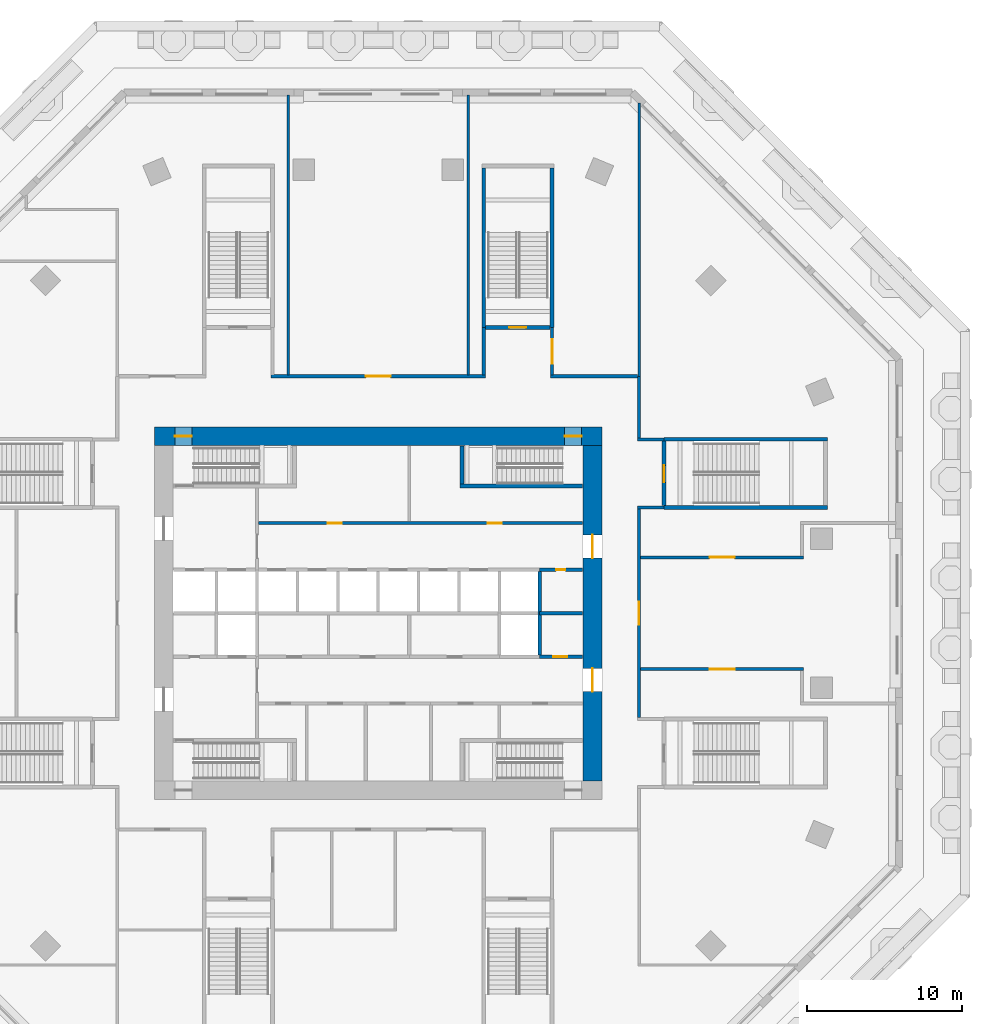
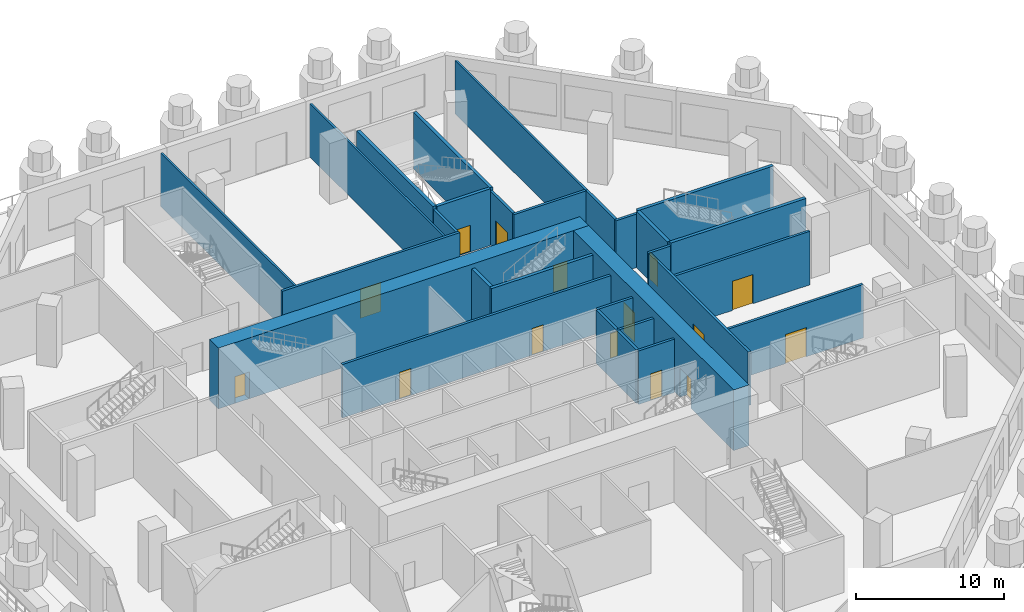
# One storey, part 7 of 13: 28 walls, 15 doors, 15 openings.
"""IFC4 building model written with IfcOpenShell, lengths in metres."""

import ifcopenshell
import ifcopenshell.guid

model = None  # the IFC model being written
_history = None  # IfcOwnerHistory: only IFC2X3 demands one
_inside = {}  # id of a spatial element -> (the spatial element, [elements in it])
_under = {}  # id of a project, library or spatial element -> (it, [spatial elements below it])
_declared = {}  # id of a project -> (the project, [libraries it declares])
_typed = {}  # id of a type object -> (the type object, [elements of that type])
_made_of = {}  # id of a material, layer set ... -> (it, [elements and type objects made of it])


def new_model(schema):
    """Start an empty IFC model of exactly this schema.

    Asked for "IFC4X3", IfcOpenShell would pick the latest addendum, in which some entities
    have other attributes; the version numbers below select the first issue.
    IFC2X3 requires an IfcOwnerHistory on every rooted entity: one is made here for all.
    """
    global model, _history
    if schema == "IFC4X3":
        model = ifcopenshell.file(schema_version=(4, 3, 0, 0))
    else:
        model = ifcopenshell.file(schema=schema)
    _inside.clear()
    _under.clear()
    _declared.clear()
    _typed.clear()
    _made_of.clear()
    _history = None
    if model.schema == "IFC2X3":
        org = make("IfcOrganization", Name="unknown")
        user = make(
            "IfcPersonAndOrganization",
            ThePerson=make("IfcPerson", FamilyName="unknown"),
            TheOrganization=org,
        )
        app = make(
            "IfcApplication",
            ApplicationDeveloper=org,
            Version="unknown",
            ApplicationFullName="unknown",
            ApplicationIdentifier="unknown",
        )
        _history = make(
            "IfcOwnerHistory",
            OwningUser=user,
            OwningApplication=app,
            ChangeAction="ADDED",
            CreationDate=0,
        )
    return model


def make(cls, **values):
    """One entity of the class cls with the attributes given. An attribute that is None is left unset."""
    return model.create_entity(
        cls, **{name: value for name, value in values.items() if value is not None}
    )


def rooted(cls, **values):
    """An entity with a GlobalId (a new one), such as an element, a storey or a relation."""
    return make(cls, GlobalId=ifcopenshell.guid.new(), OwnerHistory=_history, **values)


def si_unit(unit_type, name, prefix=None):
    """IfcSIUnit, for example si_unit("LENGTHUNIT", "METRE", prefix="MILLI")."""
    return make("IfcSIUnit", UnitType=unit_type, Prefix=prefix, Name=name)


def assignment(units):
    """IfcUnitAssignment: the units of a project."""
    return None if units is None else make("IfcUnitAssignment", Units=units)


def point(xyz):
    """IfcCartesianPoint."""
    return None if xyz is None else make("IfcCartesianPoint", Coordinates=xyz)


def direction(xyz):
    """IfcDirection."""
    return None if xyz is None else make("IfcDirection", DirectionRatios=xyz)


def frame(location, z_axis=None, x_axis=None):
    """IfcAxis2Placement3D, a coordinate frame: its origin and axes. An axis left out is left unset."""
    return make(
        "IfcAxis2Placement3D",
        Location=point(location),
        Axis=direction(z_axis),
        RefDirection=direction(x_axis),
    )


def frame_2d(location, x_axis=None):
    """IfcAxis2Placement2D, a coordinate frame in the plane: its origin and x axis."""
    return make(
        "IfcAxis2Placement2D", Location=point(location), RefDirection=direction(x_axis)
    )


def origin():
    """The frame at (0, 0, 0) with its axes left unset."""
    return frame((0.0, 0.0, 0.0))


def place(relative_to, where):
    """IfcLocalPlacement: puts the frame where relative to a parent placement (None: the world)."""
    return make(
        "IfcLocalPlacement", PlacementRelTo=relative_to, RelativePlacement=where
    )


def context(
    kind, dimensions, precision=None, world=None, true_north=None, identifier=None
):
    """IfcGeometricRepresentationContext, for example the 3D "Model" context."""
    return make(
        "IfcGeometricRepresentationContext",
        ContextIdentifier=identifier,
        ContextType=kind,
        CoordinateSpaceDimension=dimensions,
        Precision=precision,
        WorldCoordinateSystem=world,
        TrueNorth=true_north,
    )


def subcontext(parent, identifier, kind, view, scale=None):
    """IfcGeometricRepresentationSubContext, for example "Body" below "Model"."""
    return make(
        "IfcGeometricRepresentationSubContext",
        ContextIdentifier=identifier,
        ContextType=kind,
        ParentContext=parent,
        TargetScale=scale,
        TargetView=view,
    )


def project(units=None, contexts=None):
    """IfcProject with its units and contexts."""
    return rooted(
        "IfcProject",
        Name="project",
        RepresentationContexts=contexts,
        UnitsInContext=assignment(units),
    )


def spatial(cls, under=None, at=None, **own):
    """A site, building, storey or space (cls), placed at a placement, below another one or the project."""
    s = rooted(cls, ObjectPlacement=at, **own)
    if under is not None:
        _under.setdefault(under.id(), (under, []))[1].append(s)
    return s


def profile(cls, at=None, kind="AREA", **sizes):
    """A parametric profile (cls). Its sizes go by their IFC names, for example OverallWidth=200.0."""
    return make(cls, ProfileType=kind, Position=at, **sizes)


def rectangle(**sizes):
    """IfcRectangleProfileDef."""
    return profile("IfcRectangleProfileDef", **sizes)


def extrude(swept, where, along, depth):
    """IfcExtrudedAreaSolid: the profile swept, set in the frame where, extruded along a direction by depth."""
    return make(
        "IfcExtrudedAreaSolid",
        SweptArea=swept,
        Position=where,
        ExtrudedDirection=direction(along),
        Depth=depth,
    )


def shape(context_of_items, identifier, shape_type, items):
    """IfcShapeRepresentation: the items that make up one representation, for example the "Body"."""
    return make(
        "IfcShapeRepresentation",
        ContextOfItems=context_of_items,
        RepresentationIdentifier=identifier,
        RepresentationType=shape_type,
        Items=items,
    )


def material(Name=None, Category=None):
    """IfcMaterial."""
    return make("IfcMaterial", Name=Name, Category=Category)


def layer(
    of_material, thickness, ventilated=None, Name=None, Category=None, Priority=None
):
    """IfcMaterialLayer: one layer of a wall or slab, of a material (None: an air gap)."""
    return make(
        "IfcMaterialLayer",
        Material=of_material,
        LayerThickness=thickness,
        IsVentilated=ventilated,
        Name=Name,
        Category=Category,
        Priority=Priority,
    )


def layer_set(layers, Name=None):
    """IfcMaterialLayerSet."""
    return make("IfcMaterialLayerSet", MaterialLayers=layers, LayerSetName=Name)


def made_of(thing, what):
    """Note that an element or type object is made of a material, layer set ...; save() writes the relation."""
    if what is not None:
        _made_of.setdefault(what.id(), (what, []))[1].append(thing)
    return thing


def type_object(cls, material=None, **own):
    """A type object (cls), such as IfcWallType, which elements share."""
    return made_of(rooted(cls, **own), material)


def element(
    cls,
    number,
    at=None,
    inside=None,
    cuts=None,
    type_object=None,
    material=None,
    context=None,
    identifier="Body",
    shape_type=None,
    held_by="IfcProductDefinitionShape",
    body=None,
    shapes=None,
    **own,
):
    """One element of the class cls, such as IfcWall. Its Tag is "e" and its number.

    at: its placement. inside: the storey or other place that contains it. cuts: it is an
    opening in that element (IfcRelVoidsElement). A single representation is given by context,
    identifier, shape_type and body (its items); several are given by shapes. held_by: the class
    of the entity that holds the representations. save() writes the other relations.
    """
    e = rooted(cls, Tag="e%d" % number, ObjectPlacement=at, **own)
    if body is not None:
        shapes = [shape(context, identifier, shape_type, body)]
    if shapes is not None:
        e.Representation = make(held_by, Representations=shapes)
    if inside is not None:
        _inside.setdefault(inside.id(), (inside, []))[1].append(e)
    if cuts is not None:
        rooted(
            "IfcRelVoidsElement", RelatingBuildingElement=cuts, RelatedOpeningElement=e
        )
    if type_object is not None:
        _typed.setdefault(type_object.id(), (type_object, []))[1].append(e)
    return made_of(e, material)


def fill(opening, filler):
    """IfcRelFillsElement: the door or window that sits in an opening."""
    return rooted(
        "IfcRelFillsElement",
        RelatingOpeningElement=opening,
        RelatedBuildingElement=filler,
    )


def aggregate(whole, parts):
    """IfcRelAggregates: a whole, such as a stair, and the parts it consists of."""
    return rooted("IfcRelAggregates", RelatingObject=whole, RelatedObjects=parts)


def save(model, path):
    """Write the relations noted so far, then the file.

    IfcRelAggregates (storeys below a building ...), IfcRelContainedInSpatialStructure (elements
    in a storey), IfcRelDefinesByType, IfcRelAssociatesMaterial and IfcRelDeclares: one each for
    every whole, place, type object, material and project.
    """
    for whole, parts in _under.values():
        aggregate(whole, parts)
    for where, things in _inside.values():
        rooted(
            "IfcRelContainedInSpatialStructure",
            RelatedElements=things,
            RelatingStructure=where,
        )
    for kind, things in _typed.values():
        rooted("IfcRelDefinesByType", RelatedObjects=things, RelatingType=kind)
    for what, things in _made_of.values():
        rooted("IfcRelAssociatesMaterial", RelatedObjects=things, RelatingMaterial=what)
    for by, libraries in _declared.values():
        rooted("IfcRelDeclares", RelatingContext=by, RelatedDefinitions=libraries)
    model.write(path)


model = new_model("IFC4")

# Units and contexts
model_context = context("Model", 3, precision=1e-05, world=origin(), true_north=direction((0.0, 1.0)))
body_context = subcontext(model_context, "Body", "Model", "MODEL_VIEW")
ifc_project = project(units=[si_unit("LENGTHUNIT", "METRE"), si_unit("AREAUNIT", "SQUARE_METRE"), si_unit("VOLUMEUNIT", "CUBIC_METRE"), si_unit("PLANEANGLEUNIT", "RADIAN"), si_unit("MASSUNIT", "GRAM", prefix="KILO")], contexts=[model_context])

# Site, building, storey
site_placement = place(None, origin())
site = spatial("IfcSite", under=ifc_project, at=site_placement, CompositionType="ELEMENT")
building_placement = place(site_placement, origin())
building = spatial("IfcBuilding", under=site, at=building_placement, Name="Msitu Wima Residences", CompositionType="ELEMENT")
storey_placement = place(building_placement, frame((0.0, 0.0, 16.0)))
storey = spatial("IfcBuildingStorey", under=building, at=storey_placement, Name="L03", CompositionType="ELEMENT", Elevation=16.0)

# Wall, openings, doors
ifc_material_1 = material(Name="Concrete C80/95", Category="concrete")
ifc_layer_1 = layer(ifc_material_1, 1.199951171875)
ifc_layer_set_1 = layer_set([ifc_layer_1], Name="Concrete C80/95")
wall_type_1 = type_object("IfcWallType", Name="Core wall CW1200 C80/95", PredefinedType="SHEAR", material=ifc_layer_set_1)
wall_1_placement = place(storey_placement, frame((-14.39990234375, 11.39990234375, 0.0), z_axis=(0.0, 0.0, 1.0), x_axis=(1.0, 0.0, 0.0)))
wall_1 = element("IfcWall", 1, at=wall_1_placement, inside=storey, type_object=wall_type_1, Name="Core wall", PredefinedType="SHEAR", context=body_context, shape_type="SweptSolid", body=[
    extrude(rectangle(XDim=28.7998046875, YDim=1.199951171875, at=frame_2d((14.39990234375, 0.0))), origin(), (0.0, 0.0, 1.0), 5.0),
])
opening_1_placement = place(wall_1_placement, frame((1.300048828125, 0.0, 0.0)))
opening_1 = element("IfcOpeningElement", 2, at=opening_1_placement, cuts=wall_1, Name="Opening D03.052", PredefinedType="OPENING", context=body_context, shape_type="SweptSolid", body=[
    extrude(rectangle(XDim=1.10009765625, YDim=2.199951171875, at=frame_2d((0.550048828125, 1.10009765625))), frame((0.0, 0.60986328125, 0.0), z_axis=(0.0, -1.0, 0.0), x_axis=(1.0, 0.0, 0.0)), (0.0, 0.0, 1.0), 1.219970703125),
])
opening_2_placement = place(wall_1_placement, frame((26.39990234375, 0.0, 0.0)))
opening_2 = element("IfcOpeningElement", 3, at=opening_2_placement, cuts=wall_1, Name="Opening D03.054", PredefinedType="OPENING", context=body_context, shape_type="SweptSolid", body=[
    extrude(rectangle(XDim=1.10009765625, YDim=2.199951171875, at=frame_2d((0.550048828125, 1.10009765625))), frame((0.0, 0.60986328125, 0.0), z_axis=(0.0, -1.0, 0.0), x_axis=(1.0, 0.0, 0.0)), (0.0, 0.0, 1.0), 1.219970703125),
])
ifc_material_2 = material(Name="Steel door, fire resisting, panic bar", Category="steel")
door_type_1 = type_object("IfcDoorType", Name="Stair door D06 1100x2200", OperationType="SINGLE_SWING_LEFT", PredefinedType="DOOR", material=ifc_material_2)
door_1_placement = place(opening_1_placement, origin())
door_1 = element("IfcDoor", 4, at=door_1_placement, inside=storey, type_object=door_type_1, Name="Stair door", OperationType="SINGLE_SWING_RIGHT", OverallHeight=2.199951171875, OverallWidth=1.10009765625, PredefinedType="DOOR", context=body_context, shape_type="SweptSolid", body=[
    extrude(rectangle(XDim=1.10009765625, YDim=2.199951171875, at=frame_2d((0.550048828125, 1.10009765625))), frame((0.0, 0.02490234375, 0.0), z_axis=(0.0, -1.0, 0.0), x_axis=(1.0, 0.0, 0.0)), (0.0, 0.0, 1.0), 0.050048828125),
])
fill(opening_1, door_1)
door_2_placement = place(opening_2_placement, origin())
door_2 = element("IfcDoor", 5, at=door_2_placement, inside=storey, type_object=door_type_1, Name="Stair door", OperationType="SINGLE_SWING_LEFT", OverallHeight=2.199951171875, OverallWidth=1.10009765625, PredefinedType="DOOR", context=body_context, shape_type="SweptSolid", body=[
    extrude(rectangle(XDim=1.10009765625, YDim=2.199951171875, at=frame_2d((0.550048828125, 1.10009765625))), frame((0.0, 0.02490234375, 0.0), z_axis=(0.0, -1.0, 0.0), x_axis=(1.0, 0.0, 0.0)), (0.0, 0.0, 1.0), 0.050048828125),
])
fill(opening_2, door_2)

wall_2_placement = place(storey_placement, frame((13.800048828125, -10.800048828125, 0.0), z_axis=(0.0, 0.0, 1.0), x_axis=(0.0, 1.0, 0.0)))
wall_2 = element("IfcWall", 6, at=wall_2_placement, inside=storey, type_object=wall_type_1, Name="Core wall", PredefinedType="SHEAR", context=body_context, shape_type="SweptSolid", body=[
    extrude(rectangle(XDim=21.60009765625, YDim=1.199951171875, at=frame_2d((10.800048828125, 0.0))), origin(), (0.0, 0.0, 1.0), 5.0),
])
opening_3_placement = place(wall_2_placement, frame((14.35009765625, 0.0, 0.0)))
opening_3 = element("IfcOpeningElement", 7, at=opening_3_placement, cuts=wall_2, Name="Opening D03.048", PredefinedType="OPENING", context=body_context, shape_type="SweptSolid", body=[
    extrude(rectangle(XDim=1.5, YDim=2.39990234375, at=frame_2d((0.75, 1.199951171875))), frame((0.0, 0.60986328125, 0.0), z_axis=(0.0, -1.0, 0.0), x_axis=(1.0, 0.0, 0.0)), (0.0, 0.0, 1.0), 1.219970703125),
])
opening_4_placement = place(wall_2_placement, frame((5.75, 0.0, 0.0)))
opening_4 = element("IfcOpeningElement", 8, at=opening_4_placement, cuts=wall_2, Name="Opening D03.049", PredefinedType="OPENING", context=body_context, shape_type="SweptSolid", body=[
    extrude(rectangle(XDim=1.5, YDim=2.39990234375, at=frame_2d((0.75, 1.199951171875))), frame((0.0, 0.60986328125, 0.0), z_axis=(0.0, -1.0, 0.0), x_axis=(1.0, 0.0, 0.0)), (0.0, 0.0, 1.0), 1.219970703125),
])
ifc_material_3 = material(Name="Steel framed glazed door, fire resisting", Category="steel")
door_type_2 = type_object("IfcDoorType", Name="Lobby door D07 1500x2400", OperationType="DOUBLE_DOOR_SINGLE_SWING", PredefinedType="DOOR", material=ifc_material_3)
door_3_placement = place(opening_3_placement, origin())
door_3 = element("IfcDoor", 9, at=door_3_placement, inside=storey, type_object=door_type_2, Name="Lobby door", OperationType="DOUBLE_DOOR_SINGLE_SWING", OverallHeight=2.39990234375, OverallWidth=1.5, PredefinedType="DOOR", context=body_context, shape_type="SweptSolid", body=[
    extrude(rectangle(XDim=1.5, YDim=2.39990234375, at=frame_2d((0.75, 1.199951171875))), frame((0.0, 0.02490234375, 0.0), z_axis=(0.0, -1.0, 0.0), x_axis=(1.0, 0.0, 0.0)), (0.0, 0.0, 1.0), 0.050048828125),
])
fill(opening_3, door_3)
door_4_placement = place(opening_4_placement, origin())
door_4 = element("IfcDoor", 10, at=door_4_placement, inside=storey, type_object=door_type_2, Name="Lobby door", OperationType="DOUBLE_DOOR_SINGLE_SWING", OverallHeight=2.39990234375, OverallWidth=1.5, PredefinedType="DOOR", context=body_context, shape_type="SweptSolid", body=[
    extrude(rectangle(XDim=1.5, YDim=2.39990234375, at=frame_2d((0.75, 1.199951171875))), frame((0.0, 0.02490234375, 0.0), z_axis=(0.0, -1.0, 0.0), x_axis=(1.0, 0.0, 0.0)), (0.0, 0.0, 1.0), 0.050048828125),
])
fill(opening_4, door_4)

ifc_material_4 = material(Name="Plaster")
ifc_layer_2 = layer(ifc_material_4, 0.011962890625, Name="Plaster")
ifc_material_5 = material(Name="Concrete blockwork", Category="masonry")
ifc_layer_3 = layer(ifc_material_5, 0.176025390625, Name="Concrete blockwork")
ifc_layer_4 = layer(ifc_material_4, 0.011962890625, Name="Plaster")
ifc_layer_set_2 = layer_set([ifc_layer_2, ifc_layer_3, ifc_layer_4], Name="Concrete blockwork")
wall_type_2 = type_object("IfcWallType", Name="Corridor wall FW200", PredefinedType="PARTITIONING", material=ifc_layer_set_2)
wall_3_placement = place(storey_placement, frame((-7.699951171875, 5.800048828125, 0.0), z_axis=(0.0, 0.0, 1.0), x_axis=(1.0, 0.0, 0.0)))
wall_3 = element("IfcWall", 11, at=wall_3_placement, inside=storey, type_object=wall_type_2, Name="Corridor wall", PredefinedType="PARTITIONING", context=body_context, shape_type="SweptSolid", body=[
    extrude(rectangle(XDim=20.869873046875, YDim=0.199951171875, at=frame_2d((10.43505859375, 0.0))), origin(), (0.0, 0.0, 1.0), 4.39990234375),
])
opening_5_placement = place(wall_3_placement, frame((4.449951171875, 0.0, 0.0)))
opening_5 = element("IfcOpeningElement", 12, at=opening_5_placement, cuts=wall_3, Name="Opening D03.012", PredefinedType="OPENING", context=body_context, shape_type="SweptSolid", body=[
    extrude(rectangle(XDim=0.89990234375, YDim=2.199951171875, at=frame_2d((0.449951171875, 1.10009765625))), frame((0.0, 0.10986328125, 0.0), z_axis=(0.0, -1.0, 0.0), x_axis=(1.0, 0.0, 0.0)), (0.0, 0.0, 1.0), 0.219970703125),
])
opening_6_placement = place(wall_3_placement, frame((14.75, 0.0, 0.0)))
opening_6 = element("IfcOpeningElement", 13, at=opening_6_placement, cuts=wall_3, Name="Opening D03.013", PredefinedType="OPENING", context=body_context, shape_type="SweptSolid", body=[
    extrude(rectangle(XDim=0.89990234375, YDim=2.199951171875, at=frame_2d((0.449951171875, 1.10009765625))), frame((0.0, 0.10986328125, 0.0), z_axis=(0.0, -1.0, 0.0), x_axis=(1.0, 0.0, 0.0)), (0.0, 0.0, 1.0), 0.219970703125),
])
ifc_material_6 = material(Name="Timber flush door", Category="wood")
door_type_3 = type_object("IfcDoorType", Name="Service door D05 900x2200", OperationType="SINGLE_SWING_LEFT", PredefinedType="DOOR", material=ifc_material_6)
door_5_placement = place(opening_5_placement, origin())
door_5 = element("IfcDoor", 14, at=door_5_placement, inside=storey, type_object=door_type_3, Name="Service door", OperationType="SINGLE_SWING_LEFT", OverallHeight=2.199951171875, OverallWidth=0.89990234375, PredefinedType="DOOR", context=body_context, shape_type="SweptSolid", body=[
    extrude(rectangle(XDim=0.89990234375, YDim=2.199951171875, at=frame_2d((0.449951171875, 1.10009765625))), frame((0.0, 0.02490234375, 0.0), z_axis=(0.0, -1.0, 0.0), x_axis=(1.0, 0.0, 0.0)), (0.0, 0.0, 1.0), 0.050048828125),
])
fill(opening_5, door_5)
door_6_placement = place(opening_6_placement, origin())
door_6 = element("IfcDoor", 15, at=door_6_placement, inside=storey, type_object=door_type_3, Name="Service door", OperationType="SINGLE_SWING_RIGHT", OverallHeight=2.199951171875, OverallWidth=0.89990234375, PredefinedType="DOOR", context=body_context, shape_type="SweptSolid", body=[
    extrude(rectangle(XDim=0.89990234375, YDim=2.199951171875, at=frame_2d((0.449951171875, 1.10009765625))), frame((0.0, 0.02490234375, 0.0), z_axis=(0.0, -1.0, 0.0), x_axis=(1.0, 0.0, 0.0)), (0.0, 0.0, 1.0), 0.050048828125),
])
fill(opening_6, door_6)

# Wall, opening, door
wall_4_placement = place(storey_placement, frame((-6.89990234375, 15.2568359375, 0.0), z_axis=(0.0, 0.0, 1.0), x_axis=(1.0, 0.0, 0.0)))
wall_4 = element("IfcWall", 16, at=wall_4_placement, inside=storey, type_object=wall_type_2, Name="Corridor wall", PredefinedType="PARTITIONING", context=body_context, shape_type="SweptSolid", body=[
    extrude(rectangle(XDim=13.7998046875, YDim=0.199951171875, at=frame_2d((6.89990234375, 0.0))), origin(), (0.0, 0.0, 1.0), 4.39990234375),
])
opening_7_placement = place(wall_4_placement, frame((6.10009765625, 0.0, 0.0)))
opening_7 = element("IfcOpeningElement", 17, at=opening_7_placement, cuts=wall_4, Name="Opening D03.034", PredefinedType="OPENING", context=body_context, shape_type="SweptSolid", body=[
    extrude(rectangle(XDim=1.60009765625, YDim=2.39990234375, at=frame_2d((0.800048828125, 1.199951171875))), frame((0.0, 0.10986328125, 0.0), z_axis=(0.0, -1.0, 0.0), x_axis=(1.0, 0.0, 0.0)), (0.0, 0.0, 1.0), 0.219970703125),
])
ifc_material_7 = material(Name="Black aluminium glazed door", Category="aluminium")
door_type_4 = type_object("IfcDoorType", Name="Amenity door D10 1600x2400", OperationType="DOUBLE_DOOR_SINGLE_SWING", PredefinedType="DOOR", material=ifc_material_7)
door_7_placement = place(opening_7_placement, origin())
door_7 = element("IfcDoor", 18, at=door_7_placement, inside=storey, type_object=door_type_4, Name="Amenity door", OperationType="DOUBLE_DOOR_SINGLE_SWING", OverallHeight=2.39990234375, OverallWidth=1.60009765625, PredefinedType="DOOR", context=body_context, shape_type="SweptSolid", body=[
    extrude(rectangle(XDim=1.60009765625, YDim=2.39990234375, at=frame_2d((0.800048828125, 1.199951171875))), frame((0.0, 0.02490234375, 0.0), z_axis=(0.0, -1.0, 0.0), x_axis=(1.0, 0.0, 0.0)), (0.0, 0.0, 1.0), 0.050048828125),
])
fill(opening_7, door_7)

# Wall
wall_5_placement = place(storey_placement, frame((6.800048828125, 15.356689453125, 0.0), z_axis=(0.0, 0.0, 1.0), x_axis=(0.0, 1.0, 0.0)))
element("IfcWall", 19, at=wall_5_placement, inside=storey, type_object=wall_type_2, Name="Corridor wall", PredefinedType="PARTITIONING", context=body_context, shape_type="SweptSolid", body=[
    extrude(rectangle(XDim=3.043212890625, YDim=0.199951171875, at=frame_2d((1.521484375, 0.0))), origin(), (0.0, 0.0, 1.0), 4.39990234375),
])

# Wall, opening, door
wall_6_placement = place(storey_placement, frame((11.199951171875, 15.356689453125, 0.0), z_axis=(0.0, 0.0, 1.0), x_axis=(0.0, 1.0, 0.0)))
wall_6 = element("IfcWall", 20, at=wall_6_placement, inside=storey, type_object=wall_type_2, Name="Corridor wall", PredefinedType="PARTITIONING", context=body_context, shape_type="SweptSolid", body=[
    extrude(rectangle(XDim=3.043212890625, YDim=0.199951171875, at=frame_2d((1.521484375, 0.0))), origin(), (0.0, 0.0, 1.0), 4.39990234375),
])
opening_8_placement = place(wall_6_placement, frame((0.699951171875, 0.0, 0.0)))
opening_8 = element("IfcOpeningElement", 21, at=opening_8_placement, cuts=wall_6, Name="Opening D03.035", PredefinedType="OPENING", context=body_context, shape_type="SweptSolid", body=[
    extrude(rectangle(XDim=1.60009765625, YDim=2.39990234375, at=frame_2d((0.800048828125, 1.199951171875))), frame((0.0, 0.10986328125, 0.0), z_axis=(0.0, -1.0, 0.0), x_axis=(1.0, 0.0, 0.0)), (0.0, 0.0, 1.0), 0.219970703125),
])
door_8_placement = place(opening_8_placement, origin())
door_8 = element("IfcDoor", 22, at=door_8_placement, inside=storey, type_object=door_type_4, Name="Amenity door", OperationType="DOUBLE_DOOR_SINGLE_SWING", OverallHeight=2.39990234375, OverallWidth=1.60009765625, PredefinedType="DOOR", context=body_context, shape_type="SweptSolid", body=[
    extrude(rectangle(XDim=1.60009765625, YDim=2.39990234375, at=frame_2d((0.800048828125, 1.199951171875))), frame((0.0, 0.02490234375, 0.0), z_axis=(0.0, -1.0, 0.0), x_axis=(1.0, 0.0, 0.0)), (0.0, 0.0, 1.0), 0.050048828125),
])
fill(opening_8, door_8)

# Wall
wall_7_placement = place(storey_placement, frame((11.10009765625, 15.2568359375, 0.0), z_axis=(0.0, 0.0, 1.0), x_axis=(1.0, 0.0, 0.0)))
element("IfcWall", 23, at=wall_7_placement, inside=storey, type_object=wall_type_2, Name="Corridor wall", PredefinedType="PARTITIONING", context=body_context, shape_type="SweptSolid", body=[
    extrude(rectangle(XDim=5.599853515625, YDim=0.199951171875, at=frame_2d((2.7998046875, 0.0))), origin(), (0.0, 0.0, 1.0), 4.39990234375),
])

# Wall, opening, door
wall_8_placement = place(storey_placement, frame((16.800048828125, -6.699951171875, 0.0), z_axis=(0.0, 0.0, 1.0), x_axis=(0.0, 1.0, 0.0)))
wall_8 = element("IfcWall", 24, at=wall_8_placement, inside=storey, type_object=wall_type_2, Name="Corridor wall", PredefinedType="PARTITIONING", context=body_context, shape_type="SweptSolid", body=[
    extrude(rectangle(XDim=13.39990234375, YDim=0.199951171875, at=frame_2d((6.699951171875, 0.0))), origin(), (0.0, 0.0, 1.0), 4.39990234375),
])
opening_9_placement = place(wall_8_placement, frame((5.949951171875, 0.0, 0.0)))
opening_9 = element("IfcOpeningElement", 25, at=opening_9_placement, cuts=wall_8, Name="Opening D03.026", PredefinedType="OPENING", context=body_context, shape_type="SweptSolid", body=[
    extrude(rectangle(XDim=1.5, YDim=2.199951171875, at=frame_2d((0.75, 1.10009765625))), frame((0.0, 0.10986328125, 0.0), z_axis=(0.0, -1.0, 0.0), x_axis=(1.0, 0.0, 0.0)), (0.0, 0.0, 1.0), 0.219970703125),
])
ifc_material_8 = material(Name="Timber double door", Category="wood")
door_type_5 = type_object("IfcDoorType", Name="Double door D04 1500x2200", OperationType="DOUBLE_DOOR_SINGLE_SWING", PredefinedType="DOOR", material=ifc_material_8)
door_9_placement = place(opening_9_placement, origin())
door_9 = element("IfcDoor", 26, at=door_9_placement, inside=storey, type_object=door_type_5, Name="Double door", OperationType="DOUBLE_DOOR_SINGLE_SWING", OverallHeight=2.199951171875, OverallWidth=1.5, PredefinedType="DOOR", context=body_context, shape_type="SweptSolid", body=[
    extrude(rectangle(XDim=1.5, YDim=2.199951171875, at=frame_2d((0.75, 1.10009765625))), frame((0.0, 0.02490234375, 0.0), z_axis=(0.0, -1.0, 0.0), x_axis=(1.0, 0.0, 0.0)), (0.0, 0.0, 1.0), 0.050048828125),
])
fill(opening_9, door_9)

wall_9_placement = place(storey_placement, frame((16.89990234375, -3.60009765625, 0.0), z_axis=(0.0, 0.0, 1.0), x_axis=(1.0, 0.0, 0.0)))
wall_9 = element("IfcWall", 27, at=wall_9_placement, inside=storey, type_object=wall_type_2, Name="Corridor wall", PredefinedType="PARTITIONING", context=body_context, shape_type="SweptSolid", body=[
    extrude(rectangle(XDim=10.491943359375, YDim=0.199951171875, at=frame_2d((5.24609375, 0.0))), origin(), (0.0, 0.0, 1.0), 4.39990234375),
])
opening_10_placement = place(wall_9_placement, frame((4.449951171875, 0.0, 0.0)))
opening_10 = element("IfcOpeningElement", 28, at=opening_10_placement, cuts=wall_9, Name="Opening D03.028", PredefinedType="OPENING", context=body_context, shape_type="SweptSolid", body=[
    extrude(rectangle(XDim=1.60009765625, YDim=2.39990234375, at=frame_2d((0.800048828125, 1.199951171875))), frame((0.0, 0.10986328125, 0.0), z_axis=(0.0, -1.0, 0.0), x_axis=(1.0, 0.0, 0.0)), (0.0, 0.0, 1.0), 0.219970703125),
])
door_10_placement = place(opening_10_placement, origin())
door_10 = element("IfcDoor", 29, at=door_10_placement, inside=storey, type_object=door_type_4, Name="Amenity door", OperationType="DOUBLE_DOOR_SINGLE_SWING", OverallHeight=2.39990234375, OverallWidth=1.60009765625, PredefinedType="DOOR", context=body_context, shape_type="SweptSolid", body=[
    extrude(rectangle(XDim=1.60009765625, YDim=2.39990234375, at=frame_2d((0.800048828125, 1.199951171875))), frame((0.0, 0.02490234375, 0.0), z_axis=(0.0, -1.0, 0.0), x_axis=(1.0, 0.0, 0.0)), (0.0, 0.0, 1.0), 0.050048828125),
])
fill(opening_10, door_10)

wall_10_placement = place(storey_placement, frame((16.89990234375, 3.60009765625, 0.0), z_axis=(0.0, 0.0, 1.0), x_axis=(1.0, 0.0, 0.0)))
wall_10 = element("IfcWall", 30, at=wall_10_placement, inside=storey, type_object=wall_type_2, Name="Corridor wall", PredefinedType="PARTITIONING", context=body_context, shape_type="SweptSolid", body=[
    extrude(rectangle(XDim=10.491943359375, YDim=0.199951171875, at=frame_2d((5.24609375, 0.0))), origin(), (0.0, 0.0, 1.0), 4.39990234375),
])
opening_11_placement = place(wall_10_placement, frame((4.449951171875, 0.0, 0.0)))
opening_11 = element("IfcOpeningElement", 31, at=opening_11_placement, cuts=wall_10, Name="Opening D03.027", PredefinedType="OPENING", context=body_context, shape_type="SweptSolid", body=[
    extrude(rectangle(XDim=1.60009765625, YDim=2.39990234375, at=frame_2d((0.800048828125, 1.199951171875))), frame((0.0, 0.10986328125, 0.0), z_axis=(0.0, -1.0, 0.0), x_axis=(1.0, 0.0, 0.0)), (0.0, 0.0, 1.0), 0.219970703125),
])
door_11_placement = place(opening_11_placement, origin())
door_11 = element("IfcDoor", 32, at=door_11_placement, inside=storey, type_object=door_type_4, Name="Amenity door", OperationType="DOUBLE_DOOR_SINGLE_SWING", OverallHeight=2.39990234375, OverallWidth=1.60009765625, PredefinedType="DOOR", context=body_context, shape_type="SweptSolid", body=[
    extrude(rectangle(XDim=1.60009765625, YDim=2.39990234375, at=frame_2d((0.800048828125, 1.199951171875))), frame((0.0, 0.02490234375, 0.0), z_axis=(0.0, -1.0, 0.0), x_axis=(1.0, 0.0, 0.0)), (0.0, 0.0, 1.0), 0.050048828125),
])
fill(opening_11, door_11)

# Walls
wall_11_placement = place(storey_placement, frame((16.699951171875, 6.800048828125, 0.0), z_axis=(0.0, 0.0, 1.0), x_axis=(1.0, 0.0, 0.0)))
element("IfcWall", 33, at=wall_11_placement, inside=storey, type_object=wall_type_2, Name="Corridor wall", PredefinedType="PARTITIONING", context=body_context, shape_type="SweptSolid", body=[
    extrude(rectangle(XDim=1.699951171875, YDim=0.199951171875, at=frame_2d((0.85009765625, 0.0))), origin(), (0.0, 0.0, 1.0), 4.39990234375),
])
wall_12_placement = place(storey_placement, frame((16.800048828125, 11.300048828125, 0.0), z_axis=(0.0, 0.0, 1.0), x_axis=(0.0, 1.0, 0.0)))
element("IfcWall", 34, at=wall_12_placement, inside=storey, type_object=wall_type_2, Name="Corridor wall", PredefinedType="PARTITIONING", context=body_context, shape_type="SweptSolid", body=[
    extrude(rectangle(XDim=3.936767578125, YDim=0.199951171875, at=frame_2d((1.96826171875, 0.0))), origin(), (0.0, 0.0, 1.0), 4.39990234375),
])
wall_13_placement = place(storey_placement, frame((16.699951171875, 11.199951171875, 0.0), z_axis=(0.0, 0.0, 1.0), x_axis=(1.0, 0.0, 0.0)))
element("IfcWall", 35, at=wall_13_placement, inside=storey, type_object=wall_type_2, Name="Corridor wall", PredefinedType="PARTITIONING", context=body_context, shape_type="SweptSolid", body=[
    extrude(rectangle(XDim=1.699951171875, YDim=0.199951171875, at=frame_2d((0.85009765625, 0.0))), origin(), (0.0, 0.0, 1.0), 4.39990234375),
])
ifc_layer_5 = layer(ifc_material_4, 0.011962890625, Name="Plaster")
ifc_layer_6 = layer(ifc_material_5, 0.1259765625, Name="Concrete blockwork")
ifc_layer_7 = layer(ifc_material_4, 0.011962890625, Name="Plaster")
ifc_layer_set_3 = layer_set([ifc_layer_5, ifc_layer_6, ifc_layer_7], Name="Concrete blockwork")
wall_type_3 = type_object("IfcWallType", Name="Partition PW150", PredefinedType="PARTITIONING", material=ifc_layer_set_3)
for number, where, z_axis, x_axis, name in (
    (36, (-5.800048828125, 15.356689453125, 0.0), (0.0, 0.0, 1.0), (0.0, 1.0, 0.0), "Partition"),
    (37, (5.800048828125, 15.356689453125, 0.0), (0.0, 0.0, 1.0), (0.0, 1.0, 0.0), "Partition"),
):
    element("IfcWall", number, at=place(storey_placement, frame(where, z_axis=z_axis, x_axis=x_axis)), inside=storey, type_object=wall_type_3, Name=name, PredefinedType="PARTITIONING", context=body_context, shape_type="SweptSolid", body=[
        extrude(rectangle(XDim=17.998291015625, YDim=0.14990234375, at=frame_2d((8.9990234375, 0.0))), origin(), (0.0, 0.0, 1.0), 4.39990234375),
    ])
wall_14_placement = place(storey_placement, frame((16.800048828125, 15.23681640625, 0.0), z_axis=(0.0, 0.0, 1.0), x_axis=(0.0, 1.0, 0.0)))
element("IfcWall", 38, at=wall_14_placement, inside=storey, type_object=wall_type_3, Name="Partition", PredefinedType="PARTITIONING", context=body_context, shape_type="SweptSolid", body=[
    extrude(rectangle(XDim=17.60498046875, YDim=0.14990234375, at=frame_2d((8.802490234375, 0.0))), origin(), (0.0, 0.0, 1.0), 4.39990234375),
])

# Wall, opening, door
ifc_layer_8 = layer(ifc_material_4, 0.011962890625, Name="Plaster")
ifc_material_9 = material(Name="Reinforced concrete blockwork", Category="masonry")
ifc_layer_9 = layer(ifc_material_9, 0.176025390625, Name="Reinforced concrete blockwork")
ifc_layer_10 = layer(ifc_material_4, 0.011962890625, Name="Plaster")
ifc_layer_set_4 = layer_set([ifc_layer_8, ifc_layer_9, ifc_layer_10], Name="Reinforced concrete blockwork")
wall_type_4 = type_object("IfcWallType", Name="Plant and riser wall PL200", PredefinedType="PARTITIONING", material=ifc_layer_set_4)
wall_15_placement = place(storey_placement, frame((10.3798828125, -2.800048828125, 0.0), z_axis=(0.0, 0.0, 1.0), x_axis=(1.0, 0.0, 0.0)))
wall_15 = element("IfcWall", 39, at=wall_15_placement, inside=storey, type_object=wall_type_4, Name="Plant and riser wall", PredefinedType="PARTITIONING", context=body_context, shape_type="SweptSolid", body=[
    extrude(rectangle(XDim=2.7900390625, YDim=0.199951171875, at=frame_2d((1.39501953125, 0.0))), origin(), (0.0, 0.0, 1.0), 4.39990234375),
])
opening_12_placement = place(wall_15_placement, frame((0.89990234375, 0.0, 0.0)))
opening_12 = element("IfcOpeningElement", 40, at=opening_12_placement, cuts=wall_15, Name="Opening D03.009", PredefinedType="OPENING", context=body_context, shape_type="SweptSolid", body=[
    extrude(rectangle(XDim=0.89990234375, YDim=2.199951171875, at=frame_2d((0.449951171875, 1.10009765625))), frame((0.0, 0.10986328125, 0.0), z_axis=(0.0, -1.0, 0.0), x_axis=(1.0, 0.0, 0.0)), (0.0, 0.0, 1.0), 0.219970703125),
])
door_12_placement = place(opening_12_placement, origin())
door_12 = element("IfcDoor", 41, at=door_12_placement, inside=storey, type_object=door_type_3, Name="Service door", OperationType="SINGLE_SWING_LEFT", OverallHeight=2.199951171875, OverallWidth=0.89990234375, PredefinedType="DOOR", context=body_context, shape_type="SweptSolid", body=[
    extrude(rectangle(XDim=0.89990234375, YDim=2.199951171875, at=frame_2d((0.449951171875, 1.10009765625))), frame((0.0, 0.02490234375, 0.0), z_axis=(0.0, -1.0, 0.0), x_axis=(1.0, 0.0, 0.0)), (0.0, 0.0, 1.0), 0.050048828125),
])
fill(opening_12, door_12)

wall_16_placement = place(storey_placement, frame((10.39990234375, 2.800048828125, 0.0), z_axis=(0.0, 0.0, 1.0), x_axis=(1.0, 0.0, 0.0)))
wall_16 = element("IfcWall", 42, at=wall_16_placement, inside=storey, type_object=wall_type_4, Name="Plant and riser wall", PredefinedType="PARTITIONING", context=body_context, shape_type="SweptSolid", body=[
    extrude(rectangle(XDim=2.77001953125, YDim=0.199951171875, at=frame_2d((1.385009765625, 0.0))), origin(), (0.0, 0.0, 1.0), 4.39990234375),
])
opening_13_placement = place(wall_16_placement, frame((1.050048828125, 0.0, 0.0)))
opening_13 = element("IfcOpeningElement", 43, at=opening_13_placement, cuts=wall_16, Name="Opening D03.019", PredefinedType="OPENING", context=body_context, shape_type="SweptSolid", body=[
    extrude(rectangle(XDim=0.60009765625, YDim=2.0, at=frame_2d((0.300048828125, 1.0))), frame((0.0, 0.10986328125, 0.0), z_axis=(0.0, -1.0, 0.0), x_axis=(1.0, 0.0, 0.0)), (0.0, 0.0, 1.0), 0.219970703125),
])
ifc_material_10 = material(Name="Steel access door, fire resisting", Category="steel")
door_type_6 = type_object("IfcDoorType", Name="Riser access door D08 600x2000", OperationType="SINGLE_SWING_LEFT", PredefinedType="DOOR", material=ifc_material_10)
door_13_placement = place(opening_13_placement, origin())
door_13 = element("IfcDoor", 44, at=door_13_placement, inside=storey, type_object=door_type_6, Name="Riser access door", OperationType="SINGLE_SWING_RIGHT", OverallHeight=2.0, OverallWidth=0.60009765625, PredefinedType="DOOR", context=body_context, shape_type="SweptSolid", body=[
    extrude(rectangle(XDim=0.60009765625, YDim=2.0, at=frame_2d((0.300048828125, 1.0))), frame((0.0, 0.02490234375, 0.0), z_axis=(0.0, -1.0, 0.0), x_axis=(1.0, 0.0, 0.0)), (0.0, 0.0, 1.0), 0.050048828125),
])
fill(opening_13, door_13)

# Walls
wall_17_placement = place(storey_placement, frame((10.39990234375, 0.0, 0.0), z_axis=(0.0, 0.0, 1.0), x_axis=(1.0, 0.0, 0.0)))
element("IfcWall", 45, at=wall_17_placement, inside=storey, type_object=wall_type_4, Name="Plant and riser wall", PredefinedType="PARTITIONING", context=body_context, shape_type="SweptSolid", body=[
    extrude(rectangle(XDim=2.77001953125, YDim=0.199951171875, at=frame_2d((1.385009765625, 0.0))), origin(), (0.0, 0.0, 1.0), 4.39990234375),
])
ifc_material_11 = material(Name="Fire-rated board")
ifc_layer_11 = layer(ifc_material_11, 0.02490234375, Name="Fire-rated board")
ifc_material_12 = material(Name="Light-gauge stud framing with mineral wool")
ifc_layer_12 = layer(ifc_material_12, 0.14990234375, Name="Light-gauge stud framing with mineral wool")
ifc_layer_13 = layer(ifc_material_11, 0.02490234375, Name="Fire-rated board")
ifc_layer_set_5 = layer_set([ifc_layer_11, ifc_layer_12, ifc_layer_13], Name="Light-gauge stud framing with mineral wool")
wall_type_5 = type_object("IfcWallType", Name="Shaft wall SH200", PredefinedType="PARTITIONING", material=ifc_layer_set_5)
wall_18_placement = place(storey_placement, frame((10.39990234375, -2.699951171875, 0.0), z_axis=(0.0, 0.0, 1.0), x_axis=(0.0, 1.0, 0.0)))
element("IfcWall", 46, at=wall_18_placement, inside=storey, type_object=wall_type_5, Name="Shaft wall", PredefinedType="PARTITIONING", context=body_context, shape_type="SweptSolid", body=[
    extrude(rectangle(XDim=5.39990234375, YDim=0.199951171875, at=frame_2d((2.699951171875, 0.0))), origin(), (0.0, 0.0, 1.0), 4.39990234375),
])
ifc_material_13 = material(Name="Concrete C50/60", Category="concrete")
ifc_layer_14 = layer(ifc_material_13, 0.25)
ifc_layer_set_6 = layer_set([ifc_layer_14], Name="Concrete C50/60")
wall_type_6 = type_object("IfcWallType", Name="Stair enclosure wall SW250", PredefinedType="SHEAR", material=ifc_layer_set_6)
wall_19_placement = place(storey_placement, frame((5.39990234375, 8.324951171875, 0.0), z_axis=(0.0, 0.0, 1.0), x_axis=(0.0, 1.0, 0.0)))
element("IfcWall", 47, at=wall_19_placement, inside=storey, type_object=wall_type_6, Name="Stair enclosure wall", PredefinedType="SHEAR", context=body_context, shape_type="SweptSolid", body=[
    extrude(rectangle(XDim=2.445068359375, YDim=0.25, at=frame_2d((1.22265625, 0.0))), origin(), (0.0, 0.0, 1.0), 4.64990234375),
])
wall_20_placement = place(storey_placement, frame((5.27490234375, 8.199951171875, 0.0), z_axis=(0.0, 0.0, 1.0), x_axis=(1.0, 0.0, 0.0)))
element("IfcWall", 48, at=wall_20_placement, inside=storey, type_object=wall_type_6, Name="Stair enclosure wall", PredefinedType="SHEAR", context=body_context, shape_type="SweptSolid", body=[
    extrude(rectangle(XDim=7.89501953125, YDim=0.25, at=frame_2d((3.947509765625, 0.0))), origin(), (0.0, 0.0, 1.0), 4.64990234375),
])
wall_21_placement = place(storey_placement, frame((6.800048828125, 18.39990234375, 0.0), z_axis=(0.0, 0.0, 1.0), x_axis=(0.0, 1.0, 0.0)))
element("IfcWall", 49, at=wall_21_placement, inside=storey, type_object=wall_type_6, Name="Stair enclosure wall", PredefinedType="SHEAR", context=body_context, shape_type="SweptSolid", body=[
    extrude(rectangle(XDim=10.275146484375, YDim=0.25, at=frame_2d((5.1376953125, 0.0))), origin(), (0.0, 0.0, 1.0), 4.64990234375),
])

# Wall, opening, door
wall_22_placement = place(storey_placement, frame((6.925048828125, 18.39990234375, 0.0), z_axis=(0.0, 0.0, 1.0), x_axis=(1.0, 0.0, 0.0)))
wall_22 = element("IfcWall", 50, at=wall_22_placement, inside=storey, type_object=wall_type_6, Name="Stair enclosure wall", PredefinedType="SHEAR", context=body_context, shape_type="SweptSolid", body=[
    extrude(rectangle(XDim=4.14990234375, YDim=0.25, at=frame_2d((2.074951171875, 0.0))), origin(), (0.0, 0.0, 1.0), 4.64990234375),
])
opening_14_placement = place(wall_22_placement, frame((1.5, 0.0, 0.0)))
opening_14 = element("IfcOpeningElement", 51, at=opening_14_placement, cuts=wall_22, Name="Opening D03.043", PredefinedType="OPENING", context=body_context, shape_type="SweptSolid", body=[
    extrude(rectangle(XDim=1.10009765625, YDim=2.199951171875, at=frame_2d((0.550048828125, 1.10009765625))), frame((0.0, 0.135009765625, 0.0), z_axis=(0.0, -1.0, 0.0), x_axis=(1.0, 0.0, 0.0)), (0.0, 0.0, 1.0), 0.27001953125),
])
door_type_7 = type_object("IfcDoorType", Name="Stair door D13 1100x2200", OperationType="SINGLE_SWING_LEFT", PredefinedType="DOOR", material=ifc_material_2)
door_14_placement = place(opening_14_placement, origin())
door_14 = element("IfcDoor", 52, at=door_14_placement, inside=storey, type_object=door_type_7, Name="Stair door", OperationType="SINGLE_SWING_LEFT", OverallHeight=2.199951171875, OverallWidth=1.10009765625, PredefinedType="DOOR", context=body_context, shape_type="SweptSolid", body=[
    extrude(rectangle(XDim=1.10009765625, YDim=2.199951171875, at=frame_2d((0.550048828125, 1.10009765625))), frame((0.0, 0.02490234375, 0.0), z_axis=(0.0, -1.0, 0.0), x_axis=(1.0, 0.0, 0.0)), (0.0, 0.0, 1.0), 0.050048828125),
])
fill(opening_14, door_14)

# Wall
wall_23_placement = place(storey_placement, frame((11.199951171875, 18.39990234375, 0.0), z_axis=(0.0, 0.0, 1.0), x_axis=(0.0, 1.0, 0.0)))
element("IfcWall", 53, at=wall_23_placement, inside=storey, type_object=wall_type_6, Name="Stair enclosure wall", PredefinedType="SHEAR", context=body_context, shape_type="SweptSolid", body=[
    extrude(rectangle(XDim=10.275146484375, YDim=0.25, at=frame_2d((5.1376953125, 0.0))), origin(), (0.0, 0.0, 1.0), 4.64990234375),
])

# Wall, opening, door
wall_24_placement = place(storey_placement, frame((18.39990234375, 6.925048828125, 0.0), z_axis=(0.0, 0.0, 1.0), x_axis=(0.0, 1.0, 0.0)))
wall_24 = element("IfcWall", 54, at=wall_24_placement, inside=storey, type_object=wall_type_6, Name="Stair enclosure wall", PredefinedType="SHEAR", context=body_context, shape_type="SweptSolid", body=[
    extrude(rectangle(XDim=4.14990234375, YDim=0.25, at=frame_2d((2.074951171875, 0.0))), origin(), (0.0, 0.0, 1.0), 4.64990234375),
])
opening_15_placement = place(wall_24_placement, frame((1.5, 0.0, 0.0)))
opening_15 = element("IfcOpeningElement", 55, at=opening_15_placement, cuts=wall_24, Name="Opening D03.040", PredefinedType="OPENING", context=body_context, shape_type="SweptSolid", body=[
    extrude(rectangle(XDim=1.10009765625, YDim=2.199951171875, at=frame_2d((0.550048828125, 1.10009765625))), frame((0.0, 0.135009765625, 0.0), z_axis=(0.0, -1.0, 0.0), x_axis=(1.0, 0.0, 0.0)), (0.0, 0.0, 1.0), 0.27001953125),
])
door_15_placement = place(opening_15_placement, origin())
door_15 = element("IfcDoor", 56, at=door_15_placement, inside=storey, type_object=door_type_7, Name="Stair door", OperationType="SINGLE_SWING_RIGHT", OverallHeight=2.199951171875, OverallWidth=1.10009765625, PredefinedType="DOOR", context=body_context, shape_type="SweptSolid", body=[
    extrude(rectangle(XDim=1.10009765625, YDim=2.199951171875, at=frame_2d((0.550048828125, 1.10009765625))), frame((0.0, 0.02490234375, 0.0), z_axis=(0.0, -1.0, 0.0), x_axis=(1.0, 0.0, 0.0)), (0.0, 0.0, 1.0), 0.050048828125),
])
fill(opening_15, door_15)

# Walls
for number, where, z_axis, x_axis, name in (
    (57, (18.39990234375, 6.800048828125, 0.0), (0.0, 0.0, 1.0), (1.0, 0.0, 0.0), "Stair enclosure wall"),
    (58, (18.39990234375, 11.199951171875, 0.0), (0.0, 0.0, 1.0), (1.0, 0.0, 0.0), "Stair enclosure wall"),
):
    element("IfcWall", number, at=place(storey_placement, frame(where, z_axis=z_axis, x_axis=x_axis)), inside=storey, type_object=wall_type_6, Name=name, PredefinedType="SHEAR", context=body_context, shape_type="SweptSolid", body=[
        extrude(rectangle(XDim=10.525146484375, YDim=0.25, at=frame_2d((5.2626953125, 0.0))), origin(), (0.0, 0.0, 1.0), 4.64990234375),
    ])

save(model, "model.ifc")
